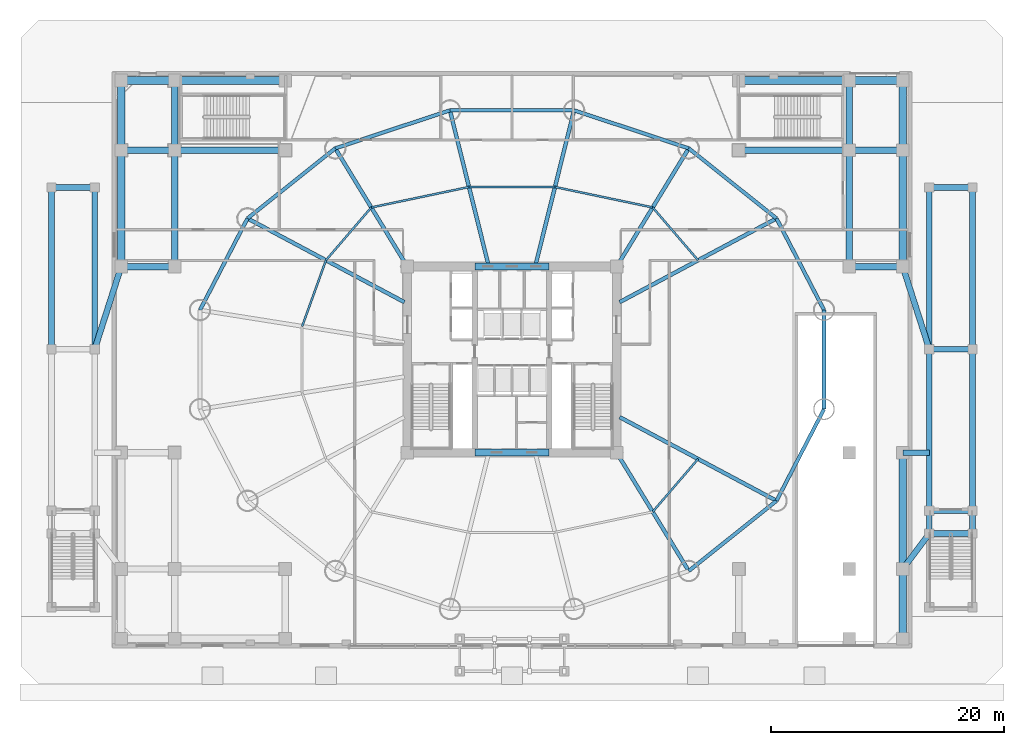
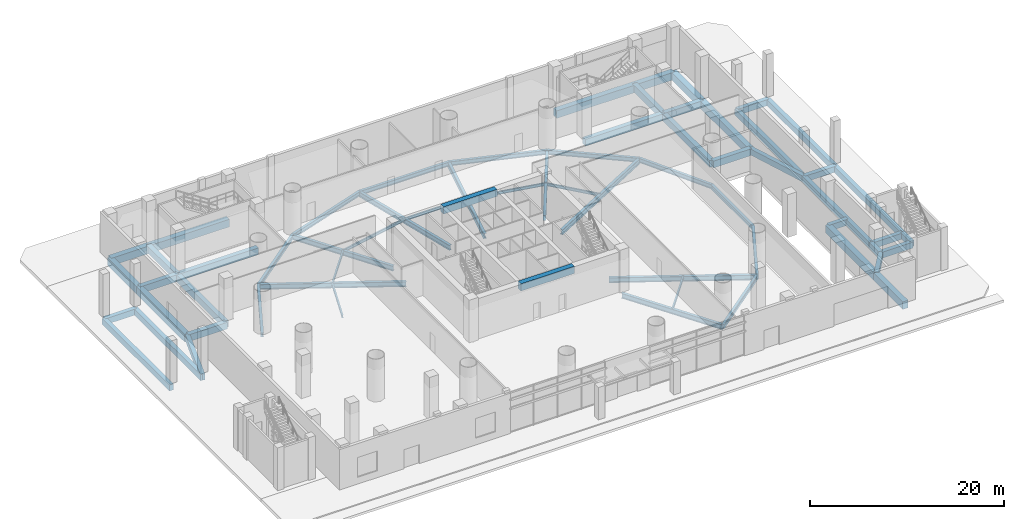
# One storey, part 7 of 25: 64 beams.
"""IFC4 building model written with IfcOpenShell, lengths in metres."""

from ifc_helpers import new_model, si_unit, direction, frame, origin, origin_2d, place, context, subcontext, project, spatial, rectangle, i_section, extrude, material, material_profile, profile_set, type_object, element, save


model = new_model("IFC4")

# Units and contexts
model_context = context("Model", 3, precision=1e-05, world=origin(), true_north=direction((-0.2419218956, 0.970295726276)))
body_context = subcontext(model_context, "Body", "Model", "MODEL_VIEW")
ifc_project = project(units=[si_unit("LENGTHUNIT", "METRE"), si_unit("AREAUNIT", "SQUARE_METRE"), si_unit("VOLUMEUNIT", "CUBIC_METRE"), si_unit("PLANEANGLEUNIT", "RADIAN"), si_unit("MASSUNIT", "GRAM", prefix="KILO")], contexts=[model_context])

# Site, building, storey
site_placement = place(None, origin())
site = spatial("IfcSite", under=ifc_project, at=site_placement, CompositionType="ELEMENT")
building_placement = place(site_placement, origin())
building = spatial("IfcBuilding", under=site, at=building_placement, Name="Cobrevalo Terracotta Tower", CompositionType="ELEMENT")
storey_placement = place(building_placement, origin())
storey = spatial("IfcBuildingStorey", under=building, at=storey_placement, Name="L00", CompositionType="ELEMENT", Elevation=0.0)

# Beams
ifc_material_1 = material(Name="Concrete C60", Category="concrete")
ifc_material_profile_1 = material_profile(ifc_material_1, rectangle(XDim=0.60009765625, YDim=0.89990234375, at=origin_2d()), Name="RC CB 600x900")
ifc_profile_set_1 = profile_set([ifc_material_profile_1], Name="Concrete C60")
beam_type_1 = type_object("IfcBeamType", Name="Structural Beam RC CB 600x900 (Concrete C60)", PredefinedType="BEAM", material=ifc_profile_set_1)
for number, where, z_axis, x_axis, name in (
    (1, (34.800048828125, 18.800048828125, 4.64990234375), (1.0, 0.0, 0.0), (0.0, 1.0, 0.0), "L00 core coupling beam 1"),
    (2, (34.800048828125, 34.800048828125, 4.64990234375), (1.0, 0.0, 0.0), (0.0, 1.0, 0.0), "L00 core coupling beam 2"),
):
    element("IfcBeam", number, at=place(storey_placement, frame(where, z_axis=z_axis, x_axis=x_axis)), inside=storey, type_object=beam_type_1, Name=name, PredefinedType="BEAM", context=body_context, shape_type="SweptSolid", body=[
        extrude(rectangle(XDim=0.60009765625, YDim=0.89990234375, at=origin_2d()), origin(), (0.0, 0.0, 1.0), 6.39990234375),
    ])
ifc_material_2 = material(Name="Steel S355", Category="steel")
ifc_material_profile_2 = material_profile(ifc_material_2, i_section(OverallWidth=0.3291015625, OverallDepth=0.635009765625, WebThickness=0.017822265625, FlangeThickness=0.031005859375, at=origin_2d()), Name="W 610x241")
ifc_profile_set_2 = profile_set([ifc_material_profile_2], Name="Steel S355")
beam_type_2 = type_object("IfcBeamType", Name="Structural Beam W 610x241 (Steel S355)", PredefinedType="BEAM", material=ifc_profile_set_2)
beam_1_placement = place(storey_placement, frame((60.74072265625, 38.939208984375, -0.737548828125), z_axis=(-0.88218223571, -0.470908168329, 0.0), x_axis=(0.470908168329, -0.88218223571, 0.0)))
element("IfcBeam", 3, at=beam_1_placement, inside=storey, type_object=beam_type_2, Name="L00 radial floor girder 02", PredefinedType="BEAM", context=body_context, shape_type="SweptSolid", body=[
    extrude(i_section(OverallWidth=0.3291015625, OverallDepth=0.635009765625, WebThickness=0.017822265625, FlangeThickness=0.031005859375, at=origin_2d()), origin(), (0.0, 0.0, 1.0), 15.286865234375),
])
beam_2_placement = place(storey_placement, frame((53.19482421875, 44.967529296875, -0.737548828125), z_axis=(-0.520309892051, -0.853977526773, 0.0), x_axis=(0.853977526773, -0.520309892051, 0.0)))
element("IfcBeam", 4, at=beam_2_placement, inside=storey, type_object=beam_type_2, Name="L00 radial floor girder 03", PredefinedType="BEAM", context=body_context, shape_type="SweptSolid", body=[
    extrude(i_section(OverallWidth=0.3291015625, OverallDepth=0.635009765625, WebThickness=0.017822265625, FlangeThickness=0.031005859375, at=origin_2d()), origin(), (0.0, 0.0, 1.0), 11.906005859375),
])
for number, where, z_axis, x_axis, name in (
    (5, (43.335693359375, 48.230224609375, -0.737548828125), (-0.241596254786, -0.970376859614, 0.0), (0.970376859614, -0.241596254786, 0.0), "L00 radial floor girder 04"),
    (6, (32.664306640625, 48.230224609375, -0.737548828125), (0.241596254786, -0.970376859614, 0.0), (0.970376859614, 0.241596254786, 0.0), "L00 radial floor girder 05"),
):
    element("IfcBeam", number, at=place(storey_placement, frame(where, z_axis=z_axis, x_axis=x_axis)), inside=storey, type_object=beam_type_2, Name=name, PredefinedType="BEAM", context=body_context, shape_type="SweptSolid", body=[
        extrude(i_section(OverallWidth=0.3291015625, OverallDepth=0.635009765625, WebThickness=0.017822265625, FlangeThickness=0.031005859375, at=origin_2d()), origin(), (0.0, 0.0, 1.0), 13.577392578125),
    ])
beam_3_placement = place(storey_placement, frame((22.80517578125, 44.967529296875, -0.737548828125), z_axis=(0.520309892051, -0.853977526773, 0.0), x_axis=(0.853977526773, 0.520309892051, 0.0)))
element("IfcBeam", 7, at=beam_3_placement, inside=storey, type_object=beam_type_2, Name="L00 radial floor girder 06", PredefinedType="BEAM", context=body_context, shape_type="SweptSolid", body=[
    extrude(i_section(OverallWidth=0.3291015625, OverallDepth=0.635009765625, WebThickness=0.017822265625, FlangeThickness=0.031005859375, at=origin_2d()), origin(), (0.0, 0.0, 1.0), 11.906005859375),
])
beam_4_placement = place(storey_placement, frame((15.25927734375, 38.939208984375, -0.737548828125), z_axis=(0.88218223571, -0.470908168329, 0.0), x_axis=(0.470908168329, 0.88218223571, 0.0)))
element("IfcBeam", 8, at=beam_4_placement, inside=storey, type_object=beam_type_2, Name="L00 radial floor girder 07", PredefinedType="BEAM", context=body_context, shape_type="SweptSolid", body=[
    extrude(i_section(OverallWidth=0.3291015625, OverallDepth=0.635009765625, WebThickness=0.017822265625, FlangeThickness=0.031005859375, at=origin_2d()), origin(), (0.0, 0.0, 1.0), 15.286865234375),
])
beam_5_placement = place(storey_placement, frame((53.19482421875, 8.63232421875, -0.737548828125), z_axis=(-0.520300780853, 0.853983077961, 0.0), x_axis=(-0.853983077961, -0.520300780853, 0.0)))
element("IfcBeam", 9, at=beam_5_placement, inside=storey, type_object=beam_type_2, Name="L00 radial floor girder 14", PredefinedType="BEAM", context=body_context, shape_type="SweptSolid", body=[
    extrude(i_section(OverallWidth=0.3291015625, OverallDepth=0.635009765625, WebThickness=0.017822265625, FlangeThickness=0.031005859375, at=origin_2d()), origin(), (0.0, 0.0, 1.0), 11.90625),
])
beam_6_placement = place(storey_placement, frame((60.74072265625, 14.660888671875, -0.737548828125), z_axis=(-0.88218223571, 0.470908168329, 0.0), x_axis=(-0.470908168329, -0.88218223571, 0.0)))
element("IfcBeam", 10, at=beam_6_placement, inside=storey, type_object=beam_type_2, Name="L00 radial floor girder 15", PredefinedType="BEAM", context=body_context, shape_type="SweptSolid", body=[
    extrude(i_section(OverallWidth=0.3291015625, OverallDepth=0.635009765625, WebThickness=0.017822265625, FlangeThickness=0.031005859375, at=origin_2d()), origin(), (0.0, 0.0, 1.0), 15.286865234375),
])
ifc_material_profile_3 = material_profile(ifc_material_2, i_section(OverallWidth=0.1708984375, OverallDepth=0.35498046875, WebThickness=0.007080078125, FlangeThickness=0.01171875, at=origin_2d()), Name="W 360x51")
ifc_profile_set_3 = profile_set([ifc_material_profile_3], Name="Steel S355")
beam_type_3 = type_object("IfcBeamType", Name="Structural Joist W 360x51 (Steel S355)", PredefinedType="JOIST", material=ifc_profile_set_3)
beam_7_placement = place(storey_placement, frame((53.997802734375, 35.33984375, -0.597412109375), z_axis=(-0.651328404454, 0.758795960421, 0.0), x_axis=(-0.758795960421, -0.651328404454, 0.0)))
element("IfcBeam", 11, at=beam_7_placement, inside=storey, type_object=beam_type_3, Name="L00 circumferential secondary floor joist 02", PredefinedType="JOIST", context=body_context, shape_type="SweptSolid", body=[
    extrude(i_section(OverallWidth=0.1708984375, OverallDepth=0.35498046875, WebThickness=0.007080078125, FlangeThickness=0.01171875, at=origin_2d()), origin(), (0.0, 0.0, 1.0), 5.98828125),
])
beam_8_placement = place(storey_placement, frame((50.097412109375, 39.8837890625, -0.597412109375), z_axis=(-0.978784523904, 0.204892302848, 0.0), x_axis=(-0.204892302848, -0.978784523904, 0.0)))
element("IfcBeam", 12, at=beam_8_placement, inside=storey, type_object=beam_type_3, Name="L00 circumferential secondary floor joist 03", PredefinedType="JOIST", context=body_context, shape_type="SweptSolid", body=[
    extrude(i_section(OverallWidth=0.1708984375, OverallDepth=0.35498046875, WebThickness=0.007080078125, FlangeThickness=0.01171875, at=origin_2d()), origin(), (0.0, 0.0, 1.0), 8.583984375),
])
beam_9_placement = place(storey_placement, frame((41.695556640625, 41.642578125, -0.597412109375), z_axis=(-1.0, 0.0, 0.0), x_axis=(0.0, -1.0, 0.0)))
element("IfcBeam", 13, at=beam_9_placement, inside=storey, type_object=beam_type_3, Name="L00 circumferential secondary floor joist 04", PredefinedType="JOIST", context=body_context, shape_type="SweptSolid", body=[
    extrude(i_section(OverallWidth=0.1708984375, OverallDepth=0.35498046875, WebThickness=0.007080078125, FlangeThickness=0.01171875, at=origin_2d()), origin(), (0.0, 0.0, 1.0), 7.39111328125),
])
beam_10_placement = place(storey_placement, frame((34.304443359375, 41.642578125, -0.597412109375), z_axis=(-0.978784523904, -0.204892302848, 0.0), x_axis=(0.204892302848, -0.978784523904, 0.0)))
element("IfcBeam", 14, at=beam_10_placement, inside=storey, type_object=beam_type_3, Name="L00 circumferential secondary floor joist 05", PredefinedType="JOIST", context=body_context, shape_type="SweptSolid", body=[
    extrude(i_section(OverallWidth=0.1708984375, OverallDepth=0.35498046875, WebThickness=0.007080078125, FlangeThickness=0.01171875, at=origin_2d()), origin(), (0.0, 0.0, 1.0), 8.583984375),
])
beam_11_placement = place(storey_placement, frame((25.902587890625, 39.8837890625, -0.597412109375), z_axis=(-0.651328404454, -0.758795960421, 0.0), x_axis=(0.758795960421, -0.651328404454, 0.0)))
element("IfcBeam", 15, at=beam_11_placement, inside=storey, type_object=beam_type_3, Name="L00 circumferential secondary floor joist 06", PredefinedType="JOIST", context=body_context, shape_type="SweptSolid", body=[
    extrude(i_section(OverallWidth=0.1708984375, OverallDepth=0.35498046875, WebThickness=0.007080078125, FlangeThickness=0.01171875, at=origin_2d()), origin(), (0.0, 0.0, 1.0), 5.98828125),
])
beam_12_placement = place(storey_placement, frame((22.002197265625, 35.33984375, -0.597412109375), z_axis=(-0.338672151116, -0.940904444701, 0.0), x_axis=(0.940904444701, -0.338672151116, 0.0)))
element("IfcBeam", 16, at=beam_12_placement, inside=storey, type_object=beam_type_3, Name="L00 circumferential secondary floor joist 07", PredefinedType="JOIST", context=body_context, shape_type="SweptSolid", body=[
    extrude(i_section(OverallWidth=0.1708984375, OverallDepth=0.35498046875, WebThickness=0.007080078125, FlangeThickness=0.01171875, at=origin_2d()), origin(), (0.0, 0.0, 1.0), 6.029296875),
])
beam_13_placement = place(storey_placement, frame((50.097412109375, 13.71630859375, -0.597412109375), z_axis=(0.651328404454, 0.758795960421, 0.0), x_axis=(-0.758795960421, 0.651328404454, 0.0)))
element("IfcBeam", 17, at=beam_13_placement, inside=storey, type_object=beam_type_3, Name="L00 circumferential secondary floor joist 14", PredefinedType="JOIST", context=body_context, shape_type="SweptSolid", body=[
    extrude(i_section(OverallWidth=0.1708984375, OverallDepth=0.35498046875, WebThickness=0.007080078125, FlangeThickness=0.01171875, at=origin_2d()), origin(), (0.0, 0.0, 1.0), 5.98828125),
])
ifc_material_3 = material(Name="Concrete C50", Category="concrete")
ifc_material_profile_4 = material_profile(ifc_material_3, rectangle(XDim=0.64990234375, YDim=0.949951171875, at=origin_2d()), Name="RC BM 650x950")
ifc_profile_set_4 = profile_set([ifc_material_profile_4], Name="Concrete C50")
beam_type_4 = type_object("IfcBeamType", Name="Structural Spandrel RC BM 650x950 (Concrete C50)", PredefinedType="SPANDREL", material=ifc_profile_set_4)
beam_14_placement = place(storey_placement, frame((4.39990234375, 34.800048828125, -0.89501953125), z_axis=(0.0, 1.0, 0.0), x_axis=(-1.0, 0.0, 0.0)))
element("IfcBeam", 18, at=beam_14_placement, inside=storey, type_object=beam_type_4, Name="L00 podium grid beam G1-GE to G1-GF", PredefinedType="SPANDREL", context=body_context, shape_type="SweptSolid", body=[
    extrude(rectangle(XDim=0.64990234375, YDim=0.949951171875, at=origin_2d()), origin(), (0.0, 0.0, 1.0), 10.0),
])
beam_15_placement = place(storey_placement, frame((4.39990234375, 44.800048828125, -0.89501953125), z_axis=(0.0, 1.0, 0.0), x_axis=(-1.0, 0.0, 0.0)))
element("IfcBeam", 19, at=beam_15_placement, inside=storey, type_object=beam_type_4, Name="L00 podium grid beam G1-GF to G1-GG", PredefinedType="SPANDREL", context=body_context, shape_type="SweptSolid", body=[
    extrude(rectangle(XDim=0.64990234375, YDim=0.949951171875, at=origin_2d()), origin(), (0.0, 0.0, 1.0), 6.0),
])
beam_16_placement = place(storey_placement, frame((4.39990234375, 50.800048828125, -0.89501953125), z_axis=(1.0, 0.0, 0.0), x_axis=(0.0, 1.0, 0.0)))
element("IfcBeam", 20, at=beam_16_placement, inside=storey, type_object=beam_type_4, Name="L00 podium grid beam G1-GG to G2-GG", PredefinedType="SPANDREL", context=body_context, shape_type="SweptSolid", body=[
    extrude(rectangle(XDim=0.64990234375, YDim=0.949951171875, at=origin_2d()), origin(), (0.0, 0.0, 1.0), 4.60009765625),
])
for number, where, z_axis, x_axis, name in (
    (21, (9.0, 50.800048828125, -0.89501953125), (1.0, 0.0, 0.0), (0.0, 1.0, 0.0), "L00 podium grid beam G2-GG to G3-GG"),
    (22, (57.5, 50.800048828125, -0.89501953125), (1.0, 0.0, 0.0), (0.0, 1.0, 0.0), "L00 podium grid beam G7-GG to G8-GG"),
):
    element("IfcBeam", number, at=place(storey_placement, frame(where, z_axis=z_axis, x_axis=x_axis)), inside=storey, type_object=beam_type_4, Name=name, PredefinedType="SPANDREL", context=body_context, shape_type="SweptSolid", body=[
        extrude(rectangle(XDim=0.64990234375, YDim=0.949951171875, at=origin_2d()), origin(), (0.0, 0.0, 1.0), 9.5),
    ])
beam_17_placement = place(storey_placement, frame((67.0, 50.800048828125, -0.89501953125), z_axis=(1.0, 0.0, 0.0), x_axis=(0.0, 1.0, 0.0)))
element("IfcBeam", 23, at=beam_17_placement, inside=storey, type_object=beam_type_4, Name="L00 podium grid beam G8-GG to G9-GG", PredefinedType="SPANDREL", context=body_context, shape_type="SweptSolid", body=[
    extrude(rectangle(XDim=0.64990234375, YDim=0.949951171875, at=origin_2d()), origin(), (0.0, 0.0, 1.0), 4.60009765625),
])
beam_18_placement = place(storey_placement, frame((71.60009765625, 2.800048828125, -0.89501953125), z_axis=(0.0, 1.0, 0.0), x_axis=(-1.0, 0.0, 0.0)))
element("IfcBeam", 24, at=beam_18_placement, inside=storey, type_object=beam_type_4, Name="L00 podium grid beam G9-GA to G9-GB", PredefinedType="SPANDREL", context=body_context, shape_type="SweptSolid", body=[
    extrude(rectangle(XDim=0.64990234375, YDim=0.949951171875, at=origin_2d()), origin(), (0.0, 0.0, 1.0), 6.0),
])
for number, where, z_axis, x_axis, name in (
    (25, (71.60009765625, 8.800048828125, -0.89501953125), (0.0, 1.0, 0.0), (-1.0, 0.0, 0.0), "L00 podium grid beam G9-GB to G9-GC"),
    (26, (71.60009765625, 34.800048828125, -0.89501953125), (0.0, 1.0, 0.0), (-1.0, 0.0, 0.0), "L00 podium grid beam G9-GE to G9-GF"),
):
    element("IfcBeam", number, at=place(storey_placement, frame(where, z_axis=z_axis, x_axis=x_axis)), inside=storey, type_object=beam_type_4, Name=name, PredefinedType="SPANDREL", context=body_context, shape_type="SweptSolid", body=[
        extrude(rectangle(XDim=0.64990234375, YDim=0.949951171875, at=origin_2d()), origin(), (0.0, 0.0, 1.0), 10.0),
    ])
beam_19_placement = place(storey_placement, frame((71.60009765625, 44.800048828125, -0.89501953125), z_axis=(0.0, 1.0, 0.0), x_axis=(-1.0, 0.0, 0.0)))
element("IfcBeam", 27, at=beam_19_placement, inside=storey, type_object=beam_type_4, Name="L00 podium grid beam G9-GF to G9-GG", PredefinedType="SPANDREL", context=body_context, shape_type="SweptSolid", body=[
    extrude(rectangle(XDim=0.64990234375, YDim=0.949951171875, at=origin_2d()), origin(), (0.0, 0.0, 1.0), 6.0),
])
ifc_material_profile_5 = material_profile(ifc_material_2, i_section(OverallWidth=0.31201171875, OverallDepth=0.54296875, WebThickness=0.0126953125, FlangeThickness=0.020263671875, at=origin_2d()), Name="W 530x150")
ifc_profile_set_5 = profile_set([ifc_material_profile_5], Name="Steel S355")
beam_type_5 = type_object("IfcBeamType", Name="Structural Spandrel W 530x150 (Steel S355)", PredefinedType="SPANDREL", material=ifc_profile_set_5)
beam_20_placement = place(storey_placement, frame((64.824462890625, 31.062744140625, -0.69140625), z_axis=(-0.460285838799, 0.88777077368, 0.0), x_axis=(-0.88777077368, -0.460285838799, 0.0)))
element("IfcBeam", 28, at=beam_20_placement, inside=storey, type_object=beam_type_5, Name="L00 perimeter ring spandrel 01", PredefinedType="SPANDREL", context=body_context, shape_type="SweptSolid", body=[
    extrude(i_section(OverallWidth=0.31201171875, OverallDepth=0.54296875, WebThickness=0.0126953125, FlangeThickness=0.020263671875, at=origin_2d()), origin(), (0.0, 0.0, 1.0), 8.8720703125),
])
beam_21_placement = place(storey_placement, frame((60.74072265625, 38.939208984375, -0.69140625), z_axis=(-0.781292806807, 0.62416468182, 0.0), x_axis=(-0.62416468182, -0.781292806807, 0.0)))
element("IfcBeam", 29, at=beam_21_placement, inside=storey, type_object=beam_type_5, Name="L00 perimeter ring spandrel 02", PredefinedType="SPANDREL", context=body_context, shape_type="SweptSolid", body=[
    extrude(i_section(OverallWidth=0.31201171875, OverallDepth=0.54296875, WebThickness=0.0126953125, FlangeThickness=0.020263671875, at=origin_2d()), origin(), (0.0, 0.0, 1.0), 9.658203125),
])
beam_22_placement = place(storey_placement, frame((53.19482421875, 44.967529296875, -0.69140625), z_axis=(-0.949365190876, 0.314174687638, 0.0), x_axis=(-0.314174687638, -0.949365190876, 0.0)))
element("IfcBeam", 30, at=beam_22_placement, inside=storey, type_object=beam_type_5, Name="L00 perimeter ring spandrel 03", PredefinedType="SPANDREL", context=body_context, shape_type="SweptSolid", body=[
    extrude(i_section(OverallWidth=0.31201171875, OverallDepth=0.54296875, WebThickness=0.0126953125, FlangeThickness=0.020263671875, at=origin_2d()), origin(), (0.0, 0.0, 1.0), 10.385009765625),
])
beam_23_placement = place(storey_placement, frame((43.335693359375, 48.230224609375, -0.69140625), z_axis=(-1.0, 0.0, 0.0), x_axis=(0.0, -1.0, 0.0)))
element("IfcBeam", 31, at=beam_23_placement, inside=storey, type_object=beam_type_5, Name="L00 perimeter ring spandrel 04", PredefinedType="SPANDREL", context=body_context, shape_type="SweptSolid", body=[
    extrude(i_section(OverallWidth=0.31201171875, OverallDepth=0.54296875, WebThickness=0.0126953125, FlangeThickness=0.020263671875, at=origin_2d()), origin(), (0.0, 0.0, 1.0), 10.67138671875),
])
beam_24_placement = place(storey_placement, frame((32.664306640625, 48.230224609375, -0.69140625), z_axis=(-0.949365190876, -0.314174687638, 0.0), x_axis=(0.314174687638, -0.949365190876, 0.0)))
element("IfcBeam", 32, at=beam_24_placement, inside=storey, type_object=beam_type_5, Name="L00 perimeter ring spandrel 05", PredefinedType="SPANDREL", context=body_context, shape_type="SweptSolid", body=[
    extrude(i_section(OverallWidth=0.31201171875, OverallDepth=0.54296875, WebThickness=0.0126953125, FlangeThickness=0.020263671875, at=origin_2d()), origin(), (0.0, 0.0, 1.0), 10.385009765625),
])
beam_25_placement = place(storey_placement, frame((22.80517578125, 44.967529296875, -0.69140625), z_axis=(-0.781292806807, -0.62416468182, 0.0), x_axis=(0.62416468182, -0.781292806807, 0.0)))
element("IfcBeam", 33, at=beam_25_placement, inside=storey, type_object=beam_type_5, Name="L00 perimeter ring spandrel 06", PredefinedType="SPANDREL", context=body_context, shape_type="SweptSolid", body=[
    extrude(i_section(OverallWidth=0.31201171875, OverallDepth=0.54296875, WebThickness=0.0126953125, FlangeThickness=0.020263671875, at=origin_2d()), origin(), (0.0, 0.0, 1.0), 9.658203125),
])
beam_26_placement = place(storey_placement, frame((15.25927734375, 38.939208984375, -0.69140625), z_axis=(-0.460285838799, -0.88777077368, 0.0), x_axis=(0.88777077368, -0.460285838799, 0.0)))
element("IfcBeam", 34, at=beam_26_placement, inside=storey, type_object=beam_type_5, Name="L00 perimeter ring spandrel 07", PredefinedType="SPANDREL", context=body_context, shape_type="SweptSolid", body=[
    extrude(i_section(OverallWidth=0.31201171875, OverallDepth=0.54296875, WebThickness=0.0126953125, FlangeThickness=0.020263671875, at=origin_2d()), origin(), (0.0, 0.0, 1.0), 8.8720703125),
])
beam_27_placement = place(storey_placement, frame((53.19482421875, 8.63232421875, -0.69140625), z_axis=(0.781280479891, 0.62418011162, 0.0), x_axis=(-0.62418011162, 0.781280479891, 0.0)))
element("IfcBeam", 35, at=beam_27_placement, inside=storey, type_object=beam_type_5, Name="L00 perimeter ring spandrel 14", PredefinedType="SPANDREL", context=body_context, shape_type="SweptSolid", body=[
    extrude(i_section(OverallWidth=0.31201171875, OverallDepth=0.54296875, WebThickness=0.0126953125, FlangeThickness=0.020263671875, at=origin_2d()), origin(), (0.0, 0.0, 1.0), 9.658447265625),
])
beam_28_placement = place(storey_placement, frame((60.74072265625, 14.660888671875, -0.69140625), z_axis=(0.460285838799, 0.88777077368, 0.0), x_axis=(-0.88777077368, 0.460285838799, 0.0)))
element("IfcBeam", 36, at=beam_28_placement, inside=storey, type_object=beam_type_5, Name="L00 perimeter ring spandrel 15", PredefinedType="SPANDREL", context=body_context, shape_type="SweptSolid", body=[
    extrude(i_section(OverallWidth=0.31201171875, OverallDepth=0.54296875, WebThickness=0.0126953125, FlangeThickness=0.020263671875, at=origin_2d()), origin(), (0.0, 0.0, 1.0), 8.8720703125),
])
beam_29_placement = place(storey_placement, frame((64.824462890625, 22.537353515625, -0.69140625), z_axis=(0.0, 1.0, 0.0), x_axis=(-1.0, 0.0, 0.0)))
element("IfcBeam", 37, at=beam_29_placement, inside=storey, type_object=beam_type_5, Name="L00 perimeter ring spandrel 16", PredefinedType="SPANDREL", context=body_context, shape_type="SweptSolid", body=[
    extrude(i_section(OverallWidth=0.31201171875, OverallDepth=0.54296875, WebThickness=0.0126953125, FlangeThickness=0.020263671875, at=origin_2d()), origin(), (0.0, 0.0, 1.0), 8.525390625),
])
ifc_material_profile_6 = material_profile(ifc_material_3, rectangle(XDim=0.5, YDim=0.75, at=origin_2d()), Name="RC BM 500x750")
ifc_profile_set_6 = profile_set([ifc_material_profile_6], Name="Concrete C50")
beam_type_6 = type_object("IfcBeamType", Name="Structural T Beam RC BM 500x750 (Concrete C50)", PredefinedType="T_BEAM", material=ifc_profile_set_6)
for number, where, z_axis, x_axis, name in (
    (38, (-1.60009765625, 27.699951171875, -0.794921875), (0.0, 1.0, 0.0), (-1.0, 0.0, 0.0), "L00 garden wing edge beam W1-2"),
    (39, (2.1201171875, 27.699951171875, -0.794921875), (0.0, 1.0, 0.0), (-1.0, 0.0, 0.0), "L00 garden wing edge beam W2-2"),
):
    element("IfcBeam", number, at=place(storey_placement, frame(where, z_axis=z_axis, x_axis=x_axis)), inside=storey, type_object=beam_type_6, Name=name, PredefinedType="T_BEAM", context=body_context, shape_type="SweptSolid", body=[
        extrude(rectangle(XDim=0.5, YDim=0.75, at=origin_2d()), origin(), (0.0, 0.0, 1.0), 13.900146484375),
    ])
beam_30_placement = place(storey_placement, frame((-1.60009765625, 41.60009765625, -0.794921875), z_axis=(1.0, 0.0, 0.0), x_axis=(0.0, 1.0, 0.0)))
element("IfcBeam", 40, at=beam_30_placement, inside=storey, type_object=beam_type_6, Name="L00 garden wing cross beam W2", PredefinedType="T_BEAM", context=body_context, shape_type="SweptSolid", body=[
    extrude(rectangle(XDim=0.5, YDim=0.75, at=origin_2d()), origin(), (0.0, 0.0, 1.0), 3.72021484375),
])
beam_31_placement = place(storey_placement, frame((4.39990234375, 34.800048828125, -0.794921875), z_axis=(-0.305718790158, -0.952121852151, 0.0), x_axis=(0.952121852151, -0.305718790158, 0.0)))
element("IfcBeam", 41, at=beam_31_placement, inside=storey, type_object=beam_type_6, Name="L00 garden deck tie beam W3", PredefinedType="T_BEAM", context=body_context, shape_type="SweptSolid", body=[
    extrude(rectangle(XDim=0.5, YDim=0.75, at=origin_2d()), origin(), (0.0, 0.0, 1.0), 7.45703125),
])
for number, where, z_axis, x_axis, name in (
    (42, (73.8798828125, 11.85009765625, -0.794921875), (0.0, 1.0, 0.0), (-1.0, 0.0, 0.0), "L00 garden stair landing side beam E1"),
    (43, (77.60009765625, 11.85009765625, -0.794921875), (0.0, 1.0, 0.0), (-1.0, 0.0, 0.0), "L00 garden stair landing side beam E2"),
):
    element("IfcBeam", number, at=place(storey_placement, frame(where, z_axis=z_axis, x_axis=x_axis)), inside=storey, type_object=beam_type_6, Name=name, PredefinedType="T_BEAM", context=body_context, shape_type="SweptSolid", body=[
        extrude(rectangle(XDim=0.5, YDim=0.75, at=origin_2d()), origin(), (0.0, 0.0, 1.0), 1.949951171875),
    ])
for number, where, z_axis, x_axis, name in (
    (44, (73.8798828125, 11.85009765625, -0.794921875), (1.0, 0.0, 0.0), (0.0, 1.0, 0.0), "L00 garden stair shaft header beam ES"),
    (45, (73.8798828125, 13.800048828125, -0.794921875), (1.0, 0.0, 0.0), (0.0, 1.0, 0.0), "L00 garden stair shaft header beam EN"),
):
    element("IfcBeam", number, at=place(storey_placement, frame(where, z_axis=z_axis, x_axis=x_axis)), inside=storey, type_object=beam_type_6, Name=name, PredefinedType="T_BEAM", context=body_context, shape_type="SweptSolid", body=[
        extrude(rectangle(XDim=0.5, YDim=0.75, at=origin_2d()), origin(), (0.0, 0.0, 1.0), 3.72021484375),
    ])
beam_32_placement = place(storey_placement, frame((73.8798828125, 11.85009765625, -0.794921875), z_axis=(-0.59869640819, -0.800976036359, 0.0), x_axis=(0.800976036359, -0.59869640819, 0.0)))
element("IfcBeam", 46, at=beam_32_placement, inside=storey, type_object=beam_type_6, Name="L00 garden stair frame tie beam E1", PredefinedType="T_BEAM", context=body_context, shape_type="SweptSolid", body=[
    extrude(rectangle(XDim=0.5, YDim=0.75, at=origin_2d()), origin(), (0.0, 0.0, 1.0), 3.807861328125),
])
beam_33_placement = place(storey_placement, frame((73.8798828125, 13.800048828125, -0.794921875), z_axis=(0.0, 1.0, 0.0), x_axis=(-1.0, 0.0, 0.0)))
element("IfcBeam", 47, at=beam_33_placement, inside=storey, type_object=beam_type_6, Name="L00 garden wing edge beam E1-1", PredefinedType="T_BEAM", context=body_context, shape_type="SweptSolid", body=[
    extrude(rectangle(XDim=0.5, YDim=0.75, at=origin_2d()), origin(), (0.0, 0.0, 1.0), 13.89990234375),
])
beam_34_placement = place(storey_placement, frame((73.8798828125, 27.699951171875, -0.794921875), z_axis=(0.0, 1.0, 0.0), x_axis=(-1.0, 0.0, 0.0)))
element("IfcBeam", 48, at=beam_34_placement, inside=storey, type_object=beam_type_6, Name="L00 garden wing edge beam E1-2", PredefinedType="T_BEAM", context=body_context, shape_type="SweptSolid", body=[
    extrude(rectangle(XDim=0.5, YDim=0.75, at=origin_2d()), origin(), (0.0, 0.0, 1.0), 13.900146484375),
])
beam_35_placement = place(storey_placement, frame((77.60009765625, 13.800048828125, -0.794921875), z_axis=(0.0, 1.0, 0.0), x_axis=(-1.0, 0.0, 0.0)))
element("IfcBeam", 49, at=beam_35_placement, inside=storey, type_object=beam_type_6, Name="L00 garden wing edge beam E2-1", PredefinedType="T_BEAM", context=body_context, shape_type="SweptSolid", body=[
    extrude(rectangle(XDim=0.5, YDim=0.75, at=origin_2d()), origin(), (0.0, 0.0, 1.0), 13.89990234375),
])
beam_36_placement = place(storey_placement, frame((77.60009765625, 27.699951171875, -0.794921875), z_axis=(0.0, 1.0, 0.0), x_axis=(-1.0, 0.0, 0.0)))
element("IfcBeam", 50, at=beam_36_placement, inside=storey, type_object=beam_type_6, Name="L00 garden wing edge beam E2-2", PredefinedType="T_BEAM", context=body_context, shape_type="SweptSolid", body=[
    extrude(rectangle(XDim=0.5, YDim=0.75, at=origin_2d()), origin(), (0.0, 0.0, 1.0), 13.900146484375),
])
for number, where, z_axis, x_axis, name in (
    (51, (73.8798828125, 27.699951171875, -0.794921875), (1.0, 0.0, 0.0), (0.0, 1.0, 0.0), "L00 garden wing cross beam E1"),
    (52, (73.8798828125, 41.60009765625, -0.794921875), (1.0, 0.0, 0.0), (0.0, 1.0, 0.0), "L00 garden wing cross beam E2"),
):
    element("IfcBeam", number, at=place(storey_placement, frame(where, z_axis=z_axis, x_axis=x_axis)), inside=storey, type_object=beam_type_6, Name=name, PredefinedType="T_BEAM", context=body_context, shape_type="SweptSolid", body=[
        extrude(rectangle(XDim=0.5, YDim=0.75, at=origin_2d()), origin(), (0.0, 0.0, 1.0), 3.72021484375),
    ])
beam_37_placement = place(storey_placement, frame((71.60009765625, 18.800048828125, -0.794921875), z_axis=(1.0, 0.0, 0.0), x_axis=(0.0, 1.0, 0.0)))
element("IfcBeam", 53, at=beam_37_placement, inside=storey, type_object=beam_type_6, Name="L00 garden deck tie beam E2", PredefinedType="T_BEAM", context=body_context, shape_type="SweptSolid", body=[
    extrude(rectangle(XDim=0.5, YDim=0.75, at=origin_2d()), origin(), (0.0, 0.0, 1.0), 2.27978515625),
])
beam_38_placement = place(storey_placement, frame((71.60009765625, 34.800048828125, -0.794921875), z_axis=(0.305718790158, -0.952121852151, 0.0), x_axis=(0.952121852151, 0.305718790158, 0.0)))
element("IfcBeam", 54, at=beam_38_placement, inside=storey, type_object=beam_type_6, Name="L00 garden deck tie beam E3", PredefinedType="T_BEAM", context=body_context, shape_type="SweptSolid", body=[
    extrude(rectangle(XDim=0.5, YDim=0.75, at=origin_2d()), origin(), (0.0, 0.0, 1.0), 7.45703125),
])
ifc_material_profile_7 = material_profile(ifc_material_3, rectangle(XDim=0.550048828125, YDim=0.85009765625, at=origin_2d()), Name="RC BM 550x850")
ifc_profile_set_7 = profile_set([ifc_material_profile_7], Name="Concrete C50")
beam_type_7 = type_object("IfcBeamType", Name="Structural T Beam RC BM 550x850 (Concrete C50)", PredefinedType="T_BEAM", material=ifc_profile_set_7)
for number, where, z_axis, x_axis, name in (
    (55, (4.39990234375, 34.800048828125, -0.844970703125), (1.0, 0.0, 0.0), (0.0, 1.0, 0.0), "L00 podium grid beam G1-GE to G2-GE"),
    (56, (4.39990234375, 44.800048828125, -0.844970703125), (1.0, 0.0, 0.0), (0.0, 1.0, 0.0), "L00 podium grid beam G1-GF to G2-GF"),
):
    element("IfcBeam", number, at=place(storey_placement, frame(where, z_axis=z_axis, x_axis=x_axis)), inside=storey, type_object=beam_type_7, Name=name, PredefinedType="T_BEAM", context=body_context, shape_type="SweptSolid", body=[
        extrude(rectangle(XDim=0.550048828125, YDim=0.85009765625, at=origin_2d()), origin(), (0.0, 0.0, 1.0), 4.60009765625),
    ])
beam_39_placement = place(storey_placement, frame((9.0, 34.800048828125, -0.844970703125), z_axis=(0.0, 1.0, 0.0), x_axis=(-1.0, 0.0, 0.0)))
element("IfcBeam", 57, at=beam_39_placement, inside=storey, type_object=beam_type_7, Name="L00 podium grid beam G2-GE to G2-GF", PredefinedType="T_BEAM", context=body_context, shape_type="SweptSolid", body=[
    extrude(rectangle(XDim=0.550048828125, YDim=0.85009765625, at=origin_2d()), origin(), (0.0, 0.0, 1.0), 10.0),
])
beam_40_placement = place(storey_placement, frame((9.0, 44.800048828125, -0.844970703125), z_axis=(0.0, 1.0, 0.0), x_axis=(-1.0, 0.0, 0.0)))
element("IfcBeam", 58, at=beam_40_placement, inside=storey, type_object=beam_type_7, Name="L00 podium grid beam G2-GF to G2-GG", PredefinedType="T_BEAM", context=body_context, shape_type="SweptSolid", body=[
    extrude(rectangle(XDim=0.550048828125, YDim=0.85009765625, at=origin_2d()), origin(), (0.0, 0.0, 1.0), 6.0),
])
for number, where, z_axis, x_axis, name in (
    (59, (9.0, 44.800048828125, -0.844970703125), (1.0, 0.0, 0.0), (0.0, 1.0, 0.0), "L00 podium grid beam G2-GF to G3-GF"),
    (60, (57.5, 44.800048828125, -0.844970703125), (1.0, 0.0, 0.0), (0.0, 1.0, 0.0), "L00 podium grid beam G7-GF to G8-GF"),
):
    element("IfcBeam", number, at=place(storey_placement, frame(where, z_axis=z_axis, x_axis=x_axis)), inside=storey, type_object=beam_type_7, Name=name, PredefinedType="T_BEAM", context=body_context, shape_type="SweptSolid", body=[
        extrude(rectangle(XDim=0.550048828125, YDim=0.85009765625, at=origin_2d()), origin(), (0.0, 0.0, 1.0), 9.5),
    ])
beam_41_placement = place(storey_placement, frame((67.0, 34.800048828125, -0.844970703125), z_axis=(0.0, 1.0, 0.0), x_axis=(-1.0, 0.0, 0.0)))
element("IfcBeam", 61, at=beam_41_placement, inside=storey, type_object=beam_type_7, Name="L00 podium grid beam G8-GE to G8-GF", PredefinedType="T_BEAM", context=body_context, shape_type="SweptSolid", body=[
    extrude(rectangle(XDim=0.550048828125, YDim=0.85009765625, at=origin_2d()), origin(), (0.0, 0.0, 1.0), 10.0),
])
beam_42_placement = place(storey_placement, frame((67.0, 34.800048828125, -0.844970703125), z_axis=(1.0, 0.0, 0.0), x_axis=(0.0, 1.0, 0.0)))
element("IfcBeam", 62, at=beam_42_placement, inside=storey, type_object=beam_type_7, Name="L00 podium grid beam G8-GE to G9-GE", PredefinedType="T_BEAM", context=body_context, shape_type="SweptSolid", body=[
    extrude(rectangle(XDim=0.550048828125, YDim=0.85009765625, at=origin_2d()), origin(), (0.0, 0.0, 1.0), 4.60009765625),
])
beam_43_placement = place(storey_placement, frame((67.0, 44.800048828125, -0.844970703125), z_axis=(0.0, 1.0, 0.0), x_axis=(-1.0, 0.0, 0.0)))
element("IfcBeam", 63, at=beam_43_placement, inside=storey, type_object=beam_type_7, Name="L00 podium grid beam G8-GF to G8-GG", PredefinedType="T_BEAM", context=body_context, shape_type="SweptSolid", body=[
    extrude(rectangle(XDim=0.550048828125, YDim=0.85009765625, at=origin_2d()), origin(), (0.0, 0.0, 1.0), 6.0),
])
beam_44_placement = place(storey_placement, frame((67.0, 44.800048828125, -0.844970703125), z_axis=(1.0, 0.0, 0.0), x_axis=(0.0, 1.0, 0.0)))
element("IfcBeam", 64, at=beam_44_placement, inside=storey, type_object=beam_type_7, Name="L00 podium grid beam G8-GF to G9-GF", PredefinedType="T_BEAM", context=body_context, shape_type="SweptSolid", body=[
    extrude(rectangle(XDim=0.550048828125, YDim=0.85009765625, at=origin_2d()), origin(), (0.0, 0.0, 1.0), 4.60009765625),
])

save(model, "model.ifc")
